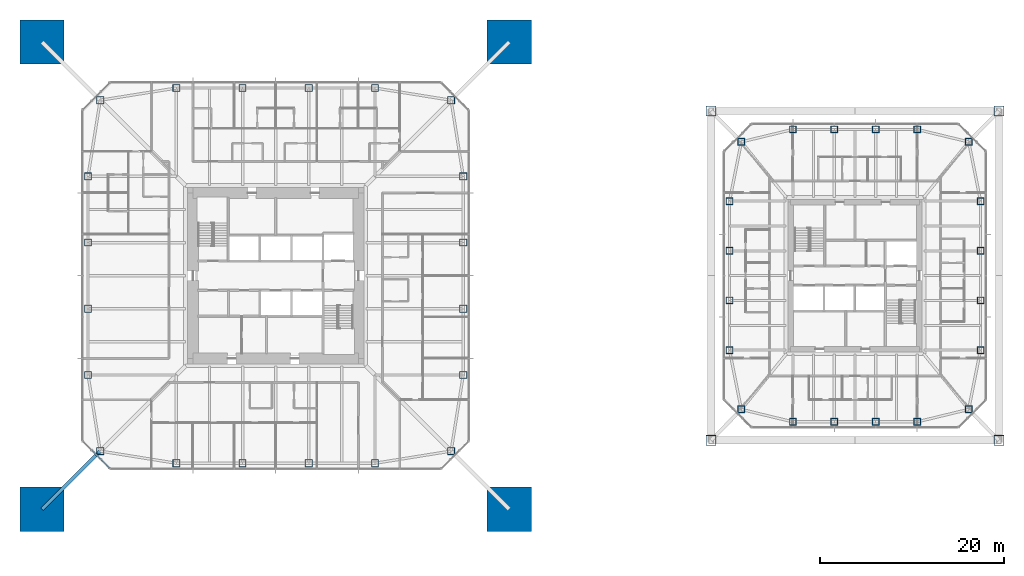
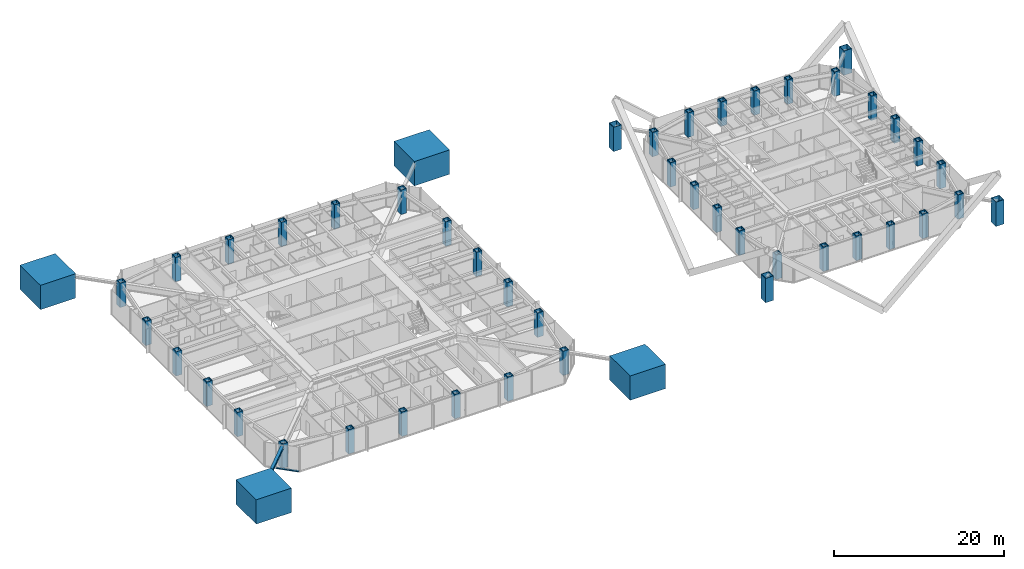
# One storey, part 1 of 23: 48 columns, 3 members, 1 element without a shape of its own.
"""IFC4 building model written with IfcOpenShell, lengths in metres."""

from ifc_helpers import new_model, si_unit, direction, frame, origin, origin_2d, place, context, subcontext, project, spatial, rectangle, hollow_rectangle, i_section, extrude, material, material_profile, profile_set, type_object, element, aggregate, save


model = new_model("IFC4")

# Units and contexts
model_context = context("Model", 3, precision=1e-05, world=origin(), true_north=direction((0.0, 1.0)))
body_context = subcontext(model_context, "Body", "Model", "MODEL_VIEW")
ifc_project = project(units=[si_unit("LENGTHUNIT", "METRE"), si_unit("AREAUNIT", "SQUARE_METRE"), si_unit("VOLUMEUNIT", "CUBIC_METRE"), si_unit("PLANEANGLEUNIT", "RADIAN"), si_unit("MASSUNIT", "GRAM", prefix="KILO")], contexts=[model_context])

# Site, building, storey
site_placement = place(None, origin())
site = spatial("IfcSite", under=ifc_project, at=site_placement, CompositionType="ELEMENT")
building_placement = place(site_placement, origin())
building = spatial("IfcBuilding", under=site, at=building_placement, Name="Iwan Alto Co-Living Towers", CompositionType="ELEMENT")
storey_placement = place(building_placement, frame((0.0, 0.0, 122.5)))
storey = spatial("IfcBuildingStorey", under=building, at=storey_placement, Name="L33", CompositionType="ELEMENT", Elevation=122.5)

# Columns
ifc_material_1 = material(Name="Concrete f'c 70 MPa", Category="concrete")
ifc_material_profile_1 = material_profile(ifc_material_1, rectangle(XDim=4.800048828125, YDim=4.800048828125, at=origin_2d()), Name="RC 4800X4800")
ifc_profile_set_1 = profile_set([ifc_material_profile_1], Name="Concrete f'c 70 MPa")
column_type_1 = type_object("IfcColumnType", Name="T1 MEGA COLUMN RC 4800X4800", PredefinedType="COLUMN", material=ifc_profile_set_1)
for number, where, z_axis, x_axis, name in (
    (1, (-25.39990234375, -25.39990234375, 0.0), (0.0, 0.0, 1.0), (1.0, 0.0, 0.0), "T1 mega column SW L33"),
    (2, (25.39990234375, -25.39990234375, 0.0), (0.0, 0.0, 1.0), (1.0, 0.0, 0.0), "T1 mega column SE L33"),
    (3, (25.39990234375, 25.39990234375, 0.0), (0.0, 0.0, 1.0), (1.0, 0.0, 0.0), "T1 mega column NE L33"),
    (4, (-25.39990234375, 25.39990234375, 0.0), (0.0, 0.0, 1.0), (1.0, 0.0, 0.0), "T1 mega column NW L33"),
):
    element("IfcColumn", number, at=place(storey_placement, frame(where, z_axis=z_axis, x_axis=x_axis)), inside=storey, type_object=column_type_1, Name=name, PredefinedType="COLUMN", context=body_context, shape_type="SweptSolid", body=[
        extrude(rectangle(XDim=4.800048828125, YDim=4.800048828125, at=origin_2d()), origin(), (0.0, 0.0, 1.0), 3.5),
        extrude(i_section(OverallWidth=0.4775390625, OverallDepth=0.599365234375, WebThickness=0.10009765625, FlangeThickness=0.139892578125, at=origin_2d()), origin(), (0.0, 0.0, 1.0), 3.5),
    ])
ifc_material_2 = material(Name="Steel ASTM A572 Gr 50", Category="steel")
ifc_material_profile_2 = material_profile(ifc_material_2, hollow_rectangle(XDim=0.800048828125, YDim=0.800048828125, WallThickness=0.070068359375, at=origin_2d()), Name="BOX 800X800X70")
ifc_profile_set_2 = profile_set([ifc_material_profile_2], Name="Steel ASTM A572 Gr 50")
column_type_2 = type_object("IfcColumnType", Name="T1 RING COLUMN BOX 800X800X70", PredefinedType="COLUMN", material=ifc_profile_set_2)
for number, where, z_axis, x_axis, name in (
    (5, (-19.07568359375, -19.07568359375, 0.0), (0.0, 0.0, 1.0), (1.0, 0.0, 0.0), "T1 ring column CSW L33"),
    (6, (-10.800048828125, -20.39990234375, 0.0), (0.0, 0.0, 1.0), (1.0, 0.0, 0.0), "T1 ring column S1 L33"),
    (7, (-3.60009765625, -20.39990234375, 0.0), (0.0, 0.0, 1.0), (1.0, 0.0, 0.0), "T1 ring column S2 L33"),
    (8, (3.60009765625, -20.39990234375, 0.0), (0.0, 0.0, 1.0), (1.0, 0.0, 0.0), "T1 ring column S3 L33"),
    (9, (10.800048828125, -20.39990234375, 0.0), (0.0, 0.0, 1.0), (1.0, 0.0, 0.0), "T1 ring column S4 L33"),
    (10, (19.07568359375, -19.07568359375, 0.0), (0.0, 0.0, 1.0), (1.0, 0.0, 0.0), "T1 ring column CSE L33"),
    (11, (20.39990234375, -10.800048828125, 0.0), (0.0, 0.0, 1.0), (1.0, 0.0, 0.0), "T1 ring column E1 L33"),
    (12, (20.39990234375, -3.60009765625, 0.0), (0.0, 0.0, 1.0), (1.0, 0.0, 0.0), "T1 ring column E2 L33"),
    (13, (20.39990234375, 3.60009765625, 0.0), (0.0, 0.0, 1.0), (1.0, 0.0, 0.0), "T1 ring column E3 L33"),
    (14, (20.39990234375, 10.800048828125, 0.0), (0.0, 0.0, 1.0), (1.0, 0.0, 0.0), "T1 ring column E4 L33"),
    (15, (19.07568359375, 19.07568359375, 0.0), (0.0, 0.0, 1.0), (1.0, 0.0, 0.0), "T1 ring column CNE L33"),
    (16, (10.800048828125, 20.39990234375, 0.0), (0.0, 0.0, 1.0), (1.0, 0.0, 0.0), "T1 ring column N1 L33"),
    (17, (3.60009765625, 20.39990234375, 0.0), (0.0, 0.0, 1.0), (1.0, 0.0, 0.0), "T1 ring column N2 L33"),
    (18, (-3.60009765625, 20.39990234375, 0.0), (0.0, 0.0, 1.0), (1.0, 0.0, 0.0), "T1 ring column N3 L33"),
    (19, (-10.800048828125, 20.39990234375, 0.0), (0.0, 0.0, 1.0), (1.0, 0.0, 0.0), "T1 ring column N4 L33"),
    (20, (-19.07568359375, 19.07568359375, 0.0), (0.0, 0.0, 1.0), (1.0, 0.0, 0.0), "T1 ring column CNW L33"),
    (21, (-20.39990234375, 10.800048828125, 0.0), (0.0, 0.0, 1.0), (1.0, 0.0, 0.0), "T1 ring column W1 L33"),
    (22, (-20.39990234375, 3.60009765625, 0.0), (0.0, 0.0, 1.0), (1.0, 0.0, 0.0), "T1 ring column W2 L33"),
    (23, (-20.39990234375, -3.60009765625, 0.0), (0.0, 0.0, 1.0), (1.0, 0.0, 0.0), "T1 ring column W3 L33"),
    (24, (-20.39990234375, -10.800048828125, 0.0), (0.0, 0.0, 1.0), (1.0, 0.0, 0.0), "T1 ring column W4 L33"),
):
    element("IfcColumn", number, at=place(storey_placement, frame(where, z_axis=z_axis, x_axis=x_axis)), inside=storey, type_object=column_type_2, Name=name, PredefinedType="COLUMN", context=body_context, shape_type="SweptSolid", body=[
        extrude(hollow_rectangle(XDim=0.800048828125, YDim=0.800048828125, WallThickness=0.070068359375, at=origin_2d()), origin(), (0.0, 0.0, 1.0), 3.5),
    ])
ifc_material_3 = material(Name="Steel ASTM A572 Gr 50", Category="steel")
ifc_material_profile_3 = material_profile(ifc_material_3, hollow_rectangle(XDim=1.10009765625, YDim=1.10009765625, WallThickness=0.06005859375, at=origin_2d()), Name="BOX 1100X1100X60")
ifc_profile_set_3 = profile_set([ifc_material_profile_3], Name="Steel ASTM A572 Gr 50")
column_type_3 = type_object("IfcColumnType", Name="T2 MEGA COLUMN BOX 1100X1100X60", PredefinedType="COLUMN", material=ifc_profile_set_3)
for number, where, z_axis, x_axis, name in (
    (25, (47.35009765625, -17.89990234375, 0.0), (0.0, 0.0, 1.0), (1.0, 0.0, 0.0), "T2 mega column SW L33"),
    (26, (78.64990234375, -17.89990234375, 0.0), (0.0, 0.0, 1.0), (1.0, 0.0, 0.0), "T2 mega column SE L33"),
    (27, (78.64990234375, 17.89990234375, 0.0), (0.0, 0.0, 1.0), (1.0, 0.0, 0.0), "T2 mega column NE L33"),
    (28, (47.35009765625, 17.89990234375, 0.0), (0.0, 0.0, 1.0), (1.0, 0.0, 0.0), "T2 mega column NW L33"),
):
    element("IfcColumn", number, at=place(storey_placement, frame(where, z_axis=z_axis, x_axis=x_axis)), inside=storey, type_object=column_type_3, Name=name, PredefinedType="COLUMN", context=body_context, shape_type="SweptSolid", body=[
        extrude(hollow_rectangle(XDim=1.10009765625, YDim=1.10009765625, WallThickness=0.06005859375, at=origin_2d()), origin(), (0.0, 0.0, 1.0), 3.5),
    ])
ifc_material_4 = material(Name="Steel ASTM A572 Gr 50", Category="steel")
ifc_material_profile_4 = material_profile(ifc_material_4, hollow_rectangle(XDim=0.800048828125, YDim=0.800048828125, WallThickness=0.10009765625, at=origin_2d()), Name="BOX 800X800X100")
ifc_profile_set_4 = profile_set([ifc_material_profile_4], Name="Steel ASTM A572 Gr 50")
column_type_4 = type_object("IfcColumnType", Name="T2 RING COLUMN BOX 800X800X100", PredefinedType="COLUMN", material=ifc_profile_set_4)
for number, where, z_axis, x_axis, name in (
    (29, (50.638671875, -14.542724609375, 0.0), (0.0, 0.0, 1.0), (1.0, 0.0, 0.0), "T2 ring column CSW L33"),
    (30, (56.25, -15.89990234375, 0.0), (0.0, 0.0, 1.0), (1.0, 0.0, 0.0), "T2 ring column S1 L33"),
    (31, (60.75, -15.89990234375, 0.0), (0.0, 0.0, 1.0), (1.0, 0.0, 0.0), "T2 ring column S2 L33"),
    (32, (65.25, -15.89990234375, 0.0), (0.0, 0.0, 1.0), (1.0, 0.0, 0.0), "T2 ring column S3 L33"),
    (33, (69.75, -15.89990234375, 0.0), (0.0, 0.0, 1.0), (1.0, 0.0, 0.0), "T2 ring column S4 L33"),
    (34, (75.361328125, -14.542724609375, 0.0), (0.0, 0.0, 1.0), (1.0, 0.0, 0.0), "T2 ring column CSE L33"),
    (35, (76.64990234375, -8.10009765625, 0.0), (0.0, 0.0, 1.0), (1.0, 0.0, 0.0), "T2 ring column E1 L33"),
    (36, (76.64990234375, -2.699951171875, 0.0), (0.0, 0.0, 1.0), (1.0, 0.0, 0.0), "T2 ring column E2 L33"),
    (37, (76.64990234375, 2.699951171875, 0.0), (0.0, 0.0, 1.0), (1.0, 0.0, 0.0), "T2 ring column E3 L33"),
    (38, (76.64990234375, 8.10009765625, 0.0), (0.0, 0.0, 1.0), (1.0, 0.0, 0.0), "T2 ring column E4 L33"),
    (39, (75.361328125, 14.542724609375, 0.0), (0.0, 0.0, 1.0), (1.0, 0.0, 0.0), "T2 ring column CNE L33"),
    (40, (69.75, 15.89990234375, 0.0), (0.0, 0.0, 1.0), (1.0, 0.0, 0.0), "T2 ring column N1 L33"),
    (41, (65.25, 15.89990234375, 0.0), (0.0, 0.0, 1.0), (1.0, 0.0, 0.0), "T2 ring column N2 L33"),
    (42, (60.75, 15.89990234375, 0.0), (0.0, 0.0, 1.0), (1.0, 0.0, 0.0), "T2 ring column N3 L33"),
    (43, (56.25, 15.89990234375, 0.0), (0.0, 0.0, 1.0), (1.0, 0.0, 0.0), "T2 ring column N4 L33"),
    (44, (50.638671875, 14.542724609375, 0.0), (0.0, 0.0, 1.0), (1.0, 0.0, 0.0), "T2 ring column CNW L33"),
    (45, (49.35009765625, 8.10009765625, 0.0), (0.0, 0.0, 1.0), (1.0, 0.0, 0.0), "T2 ring column W1 L33"),
    (46, (49.35009765625, 2.699951171875, 0.0), (0.0, 0.0, 1.0), (1.0, 0.0, 0.0), "T2 ring column W2 L33"),
    (47, (49.35009765625, -2.699951171875, 0.0), (0.0, 0.0, 1.0), (1.0, 0.0, 0.0), "T2 ring column W3 L33"),
    (48, (49.35009765625, -8.10009765625, 0.0), (0.0, 0.0, 1.0), (1.0, 0.0, 0.0), "T2 ring column W4 L33"),
):
    element("IfcColumn", number, at=place(storey_placement, frame(where, z_axis=z_axis, x_axis=x_axis)), inside=storey, type_object=column_type_4, Name=name, PredefinedType="COLUMN", context=body_context, shape_type="SweptSolid", body=[
        extrude(hollow_rectangle(XDim=0.800048828125, YDim=0.800048828125, WallThickness=0.10009765625, at=origin_2d()), origin(), (0.0, 0.0, 1.0), 3.5),
    ])

# Curtain wall, members
ifc_material_5 = material(Name="Bronze aluminium unitised frame", Category="aluminium")
curtain_wall_type = type_object("IfcCurtainWallType", Name="CURTAIN WALL CW-B", PredefinedType="NOTDEFINED", material=ifc_material_5)
curtain_wall_placement = place(storey_placement, origin())
curtain_wall = element("IfcCurtainWall", 49, at=curtain_wall_placement, inside=storey, type_object=curtain_wall_type, Name="T1 chamfer curtain wall SW L33", PredefinedType="NOTDEFINED")
ifc_material_6 = material(Name="Aluminium 6063-T6 bronze anodised", Category="aluminium")
ifc_material_profile_5 = material_profile(ifc_material_6, rectangle(XDim=0.199951171875, YDim=0.10009765625, at=origin_2d()), Name="AL 200X100")
ifc_profile_set_5 = profile_set([ifc_material_profile_5], Name="Aluminium 6063-T6 bronze anodised")
member_type_1 = type_object("IfcMemberType", Name="CW-B TRANSOM 200X100", PredefinedType="USERDEFINED", material=ifc_profile_set_5)
member_1_placement = place(storey_placement, frame((-19.9716796875, -19.0283203125, 0.050048828125), z_axis=(0.707106781187, -0.707106781187, 0.0), x_axis=(0.707106781187, 0.707106781187, 0.0)))
member_1 = element("IfcMember", 50, at=member_1_placement, type_object=member_type_1, Name="CW-B transom 2.1", ObjectType="TRANSOM", PredefinedType="USERDEFINED", context=body_context, shape_type="SweptSolid", body=[
    extrude(rectangle(XDim=0.199951171875, YDim=0.10009765625, at=origin_2d()), origin(), (0.0, 0.0, 1.0), 1.334228515625),
])
member_2_placement = place(storey_placement, frame((-18.9716796875, -20.0283203125, 0.050048828125), z_axis=(0.707106781187, -0.707106781187, 0.0), x_axis=(0.707106781187, 0.707106781187, 0.0)))
member_2 = element("IfcMember", 51, at=member_2_placement, type_object=member_type_1, Name="CW-B transom 3.1", ObjectType="TRANSOM", PredefinedType="USERDEFINED", context=body_context, shape_type="SweptSolid", body=[
    extrude(rectangle(XDim=0.199951171875, YDim=0.10009765625, at=origin_2d()), origin(), (0.0, 0.0, 1.0), 1.2939453125),
])
aggregate(curtain_wall, [member_1, member_2])

# Member
ifc_material_7 = material(Name="Steel ASTM A992 Gr 50", Category="steel")
ifc_material_profile_6 = material_profile(ifc_material_7, i_section(OverallWidth=0.393798828125, OverallDepth=0.3759765625, WebThickness=0.017333984375, FlangeThickness=0.027587890625, at=origin_2d()), Name="W14X145")
ifc_profile_set_6 = profile_set([ifc_material_profile_6], Name="Steel ASTM A992 Gr 50")
member_type_2 = type_object("IfcMemberType", Name="T1 MEGA COLUMN FLOOR TIE W14X145", PredefinedType="STRUT", material=ifc_profile_set_6)
member_3_placement = place(storey_placement, frame((-25.39990234375, -25.39990234375, 3.08203125), z_axis=(0.707106781187, 0.707106781187, 0.0), x_axis=(-0.707106781187, 0.707106781187, 0.0)))
element("IfcMember", 52, at=member_3_placement, inside=storey, type_object=member_type_2, Name="T1 mega column floor tie SW L34", PredefinedType="STRUT", context=body_context, shape_type="SweptSolid", body=[
    extrude(i_section(OverallWidth=0.393798828125, OverallDepth=0.3759765625, WebThickness=0.017333984375, FlangeThickness=0.027587890625, at=origin_2d()), origin(), (0.0, 0.0, 1.0), 8.94384765625),
])

save(model, "model.ifc")
